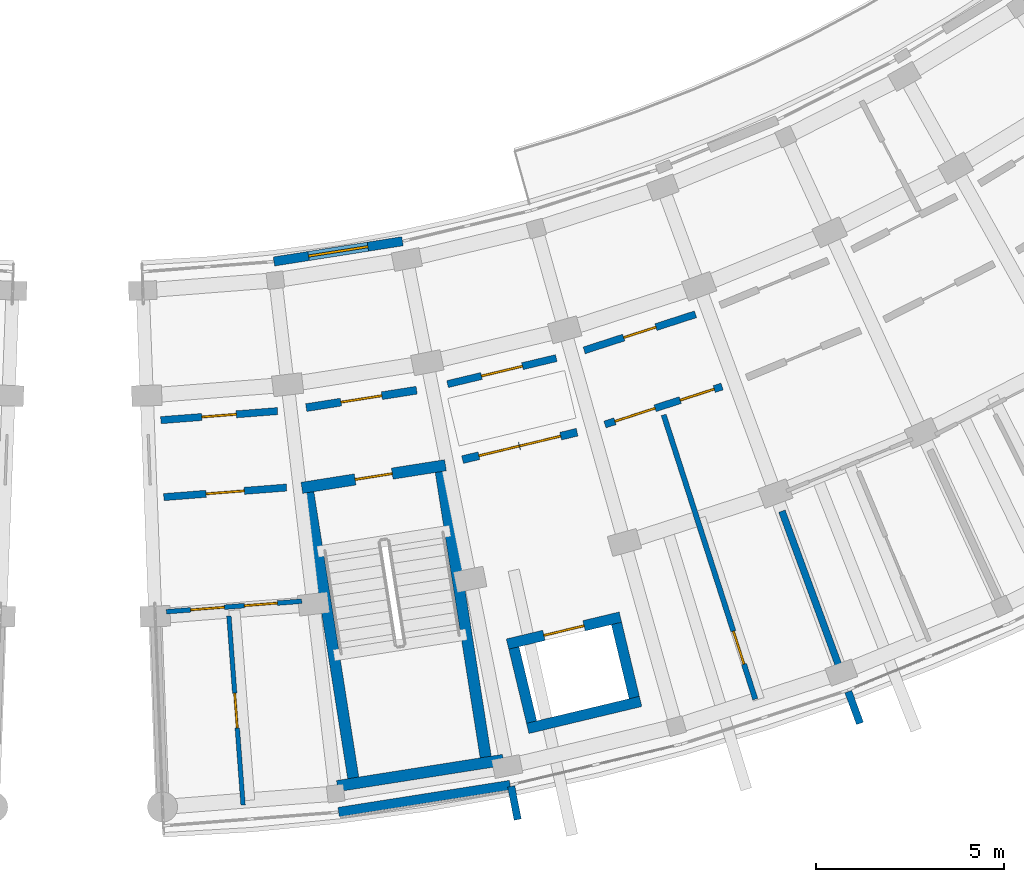
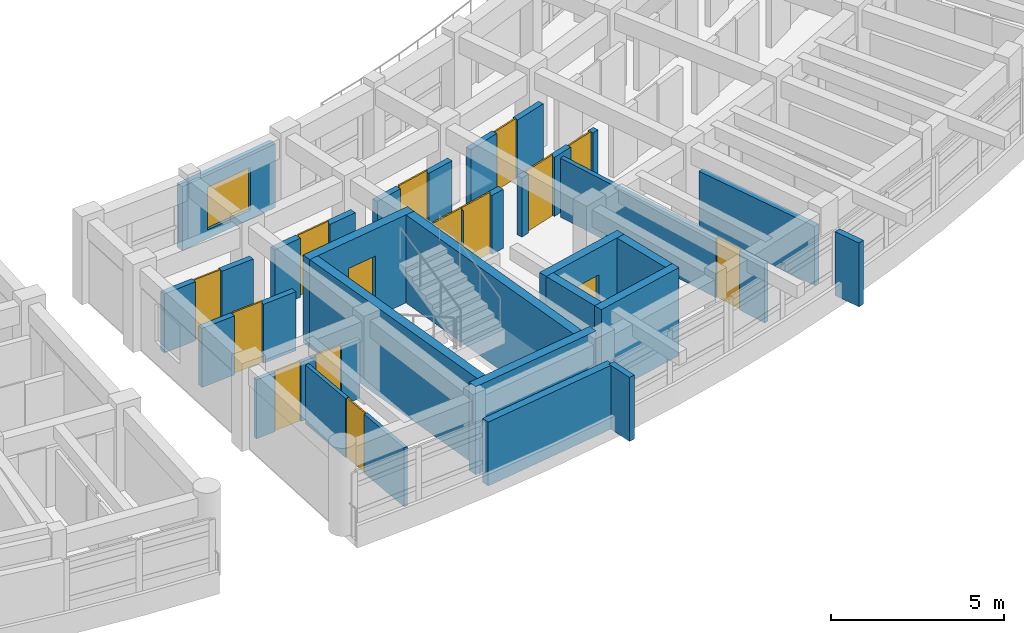
# One storey, part 37 of 56: 23 walls, 15 doors, 1 window, 16 openings.
"""IFC4 building model written with IfcOpenShell, lengths in metres."""

from ifc_helpers import new_model, si_unit, direction, frame, frame_2d, origin, place, context, subcontext, project, spatial, rectangle, extrude, material, layer, layer_set, type_object, element, fill, save


model = new_model("IFC4")

# Units and contexts
model_context = context("Model", 3, precision=1e-05, world=origin(), true_north=direction((0.0, 1.0)))
body_context = subcontext(model_context, "Body", "Model", "MODEL_VIEW")
ifc_project = project(units=[si_unit("LENGTHUNIT", "METRE"), si_unit("AREAUNIT", "SQUARE_METRE"), si_unit("VOLUMEUNIT", "CUBIC_METRE"), si_unit("PLANEANGLEUNIT", "RADIAN"), si_unit("MASSUNIT", "GRAM", prefix="KILO")], contexts=[model_context])

# Site, building, storey
site_placement = place(None, origin())
site = spatial("IfcSite", under=ifc_project, at=site_placement, CompositionType="ELEMENT")
building_placement = place(site_placement, origin())
building = spatial("IfcBuilding", under=site, at=building_placement, Name="Zimvara Arc Housing Community", CompositionType="ELEMENT")
storey_placement = place(building_placement, frame((0.0, 0.0, 17.39990234375)))
storey = spatial("IfcBuildingStorey", under=building, at=storey_placement, Name="L05", CompositionType="ELEMENT", Elevation=17.39990234375)

# Walls
ifc_material_1 = material(Name="Board-Marked Fair-Faced Concrete C35/45", Category="concrete")
ifc_layer_1 = layer(ifc_material_1, 0.195068359375)
ifc_layer_set_1 = layer_set([ifc_layer_1], Name="Board-Marked Fair-Faced Concrete C35/45")
wall_type_1 = type_object("IfcWallType", Name="EWL-PARA-195", PredefinedType="PARAPET", material=ifc_layer_set_1)
wall_1_placement = place(storey_placement, frame((137.521484375, 51.571533203125, 0.0), z_axis=(0.0, 0.0, 1.0), x_axis=(0.194237671596, -0.980954497891, 0.0)))
element("IfcWall", 1, at=wall_1_placement, inside=storey, type_object=wall_type_1, Name="finwall:blkD:L05:out:b2", PredefinedType="PARAPET", context=body_context, shape_type="SweptSolid", body=[
    extrude(rectangle(XDim=0.89990234375, YDim=0.195068359375, at=frame_2d((0.449951171875, 0.0))), origin(), (0.0, 0.0, 1.0), 2.25),
])
wall_2_placement = place(storey_placement, frame((146.49755859375, 54.0947265625, 0.0), z_axis=(0.0, 0.0, 1.0), x_axis=(0.34529052391, -0.938495846607, 0.0)))
element("IfcWall", 2, at=wall_2_placement, inside=storey, type_object=wall_type_1, Name="finwall:blkD:L05:out:b4", PredefinedType="PARAPET", context=body_context, shape_type="SweptSolid", body=[
    extrude(rectangle(XDim=0.900146484375, YDim=0.195068359375, at=frame_2d((0.4501953125, 0.0))), origin(), (0.0, 0.0, 1.0), 2.25),
])

# Wall, opening, window
ifc_material_2 = material(Name="Pigmented Fair-Faced Concrete C35/45", Category="concrete")
ifc_layer_2 = layer(ifc_material_2, 0.2451171875)
ifc_layer_set_2 = layer_set([ifc_layer_2], Name="Pigmented Fair-Faced Concrete C35/45")
wall_type_2 = type_object("IfcWallType", Name="EWL-PIGM-245", PredefinedType="SOLIDWALL", material=ifc_layer_set_2)
wall_3_placement = place(storey_placement, frame((131.20556640625, 65.5478515625, 0.0), z_axis=(0.0, 0.0, 1.0), x_axis=(0.987825183084, 0.155568016203, 0.0)))
wall_3 = element("IfcWall", 3, at=wall_3_placement, inside=storey, type_object=wall_type_2, Name="ewall:blkD:L05:in:b1", PredefinedType="SOLIDWALL", context=body_context, shape_type="SweptSolid", body=[
    extrude(rectangle(XDim=3.463623046875, YDim=0.2451171875, at=frame_2d((1.73193359375, 0.0))), origin(), (0.0, 0.0, 1.0), 2.25),
])
opening_1_placement = place(wall_3_placement, frame((0.931884765625, 0.0, 0.320068359375)))
opening_1 = element("IfcOpeningElement", 4, at=opening_1_placement, cuts=wall_3, Name="Opening W03", PredefinedType="OPENING", context=body_context, shape_type="SweptSolid", body=[
    extrude(rectangle(XDim=1.60009765625, YDim=1.5, at=frame_2d((0.800048828125, 0.75))), frame((0.0, 0.132568359375, 0.0), z_axis=(0.0, -1.0, 0.0), x_axis=(1.0, 0.0, 0.0)), (0.0, 0.0, 1.0), 0.26513671875),
])
ifc_material_3 = material(Name="Solar Control Low-E Double Glazing", Category="glass")
window_type = type_object("IfcWindowType", Name="WIN-RES-1600x1500", PartitioningType="DOUBLE_PANEL_VERTICAL", PredefinedType="WINDOW", material=ifc_material_3)
window_placement = place(opening_1_placement, origin())
window = element("IfcWindow", 5, at=window_placement, inside=storey, type_object=window_type, Name="win:blkD:L05:in:b1", OverallHeight=1.5, OverallWidth=1.60009765625, PartitioningType="DOUBLE_PANEL_VERTICAL", PredefinedType="WINDOW", context=body_context, shape_type="SweptSolid", body=[
    extrude(rectangle(XDim=1.60009765625, YDim=1.5, at=frame_2d((0.800048828125, 0.75))), frame((0.0, 0.030029296875, 0.0), z_axis=(0.0, -1.0, 0.0), x_axis=(1.0, 0.0, 0.0)), (0.0, 0.0, 1.0), 0.06005859375),
])
fill(opening_1, window)

# Wall
ifc_material_4 = material(Name="Board-Marked Fair-Faced Concrete C35/45", Category="concrete")
ifc_layer_3 = layer(ifc_material_4, 0.251953125)
ifc_layer_set_3 = layer_set([ifc_layer_3], Name="Board-Marked Fair-Faced Concrete C35/45")
wall_type_3 = type_object("IfcWallType", Name="EWL-VAR-18", PredefinedType="SOLIDWALL", material=ifc_layer_set_3)
wall_4_placement = place(storey_placement, frame((132.927734375, 50.888671875, 0.0), z_axis=(0.0, 0.0, 1.0), x_axis=(0.987828826394, 0.155544880165, 0.0)))
element("IfcWall", 6, at=wall_4_placement, inside=storey, type_object=wall_type_3, Name="ewall:blkD:L05:out:b1", PredefinedType="SOLIDWALL", context=body_context, shape_type="SweptSolid", body=[
    extrude(rectangle(XDim=4.622314453125, YDim=0.251953125, at=frame_2d((2.31103515625, 0.0))), origin(), (0.0, 0.0, 1.0), 2.25),
])

# Wall, opening, door
ifc_material_5 = material(Name="Concrete C35/45", Category="concrete")
ifc_layer_4 = layer(ifc_material_5, 0.2099609375)
ifc_layer_set_4 = layer_set([ifc_layer_4], Name="Concrete C35/45")
wall_type_4 = type_object("IfcWallType", Name="IWL-CCF-210", PredefinedType="SOLIDWALL", material=ifc_layer_set_4)
wall_5_placement = place(storey_placement, frame((132.065185546875, 61.6572265625, 0.0), z_axis=(0.0, 0.0, 1.0), x_axis=(0.987816121487, 0.155625544594, 0.0)))
wall_5 = element("IfcWall", 7, at=wall_5_placement, inside=storey, type_object=wall_type_4, Name="iwall:blkD:L05:ccf_div:b1", PredefinedType="SOLIDWALL", context=body_context, shape_type="SweptSolid", body=[
    extrude(rectangle(XDim=2.97607421875, YDim=0.2099609375, at=frame_2d((1.488037109375, 0.0))), origin(), (0.0, 0.0, 1.0), 2.080078125),
])
opening_2_placement = place(wall_5_placement, frame((0.93798828125, 0.0, 0.0)))
opening_2 = element("IfcOpeningElement", 8, at=opening_2_placement, cuts=wall_5, Name="Opening FD-CCF1", PredefinedType="OPENING", context=body_context, shape_type="SweptSolid", body=[
    extrude(rectangle(XDim=1.10009765625, YDim=2.14990234375, at=frame_2d((0.550048828125, 1.074951171875))), frame((0.0, 0.114990234375, 0.0), z_axis=(0.0, -1.0, 0.0), x_axis=(1.0, 0.0, 0.0)), (0.0, 0.0, 1.0), 0.22998046875),
])
ifc_material_6 = material(Name="Anodised Aluminium AW-6063", Category="aluminium")
door_type_1 = type_object("IfcDoorType", Name="IDR-CCF-1100x2150", OperationType="NOTDEFINED", PredefinedType="DOOR", material=ifc_material_6)
door_1_placement = place(opening_2_placement, origin())
door_1 = element("IfcDoor", 9, at=door_1_placement, inside=storey, type_object=door_type_1, Name="idoor:blkD:L05:ccf_in:b1", OperationType="SINGLE_SWING_RIGHT", OverallHeight=2.14990234375, OverallWidth=1.10009765625, PredefinedType="DOOR", context=body_context, shape_type="SweptSolid", body=[
    extrude(rectangle(XDim=1.10009765625, YDim=2.14990234375, at=frame_2d((0.550048828125, 1.074951171875))), frame((0.0, 0.02490234375, 0.0), z_axis=(0.0, -1.0, 0.0), x_axis=(1.0, 0.0, 0.0)), (0.0, 0.0, 1.0), 0.050048828125),
])
fill(opening_2, door_1)

# Wall, openings, doors
wall_6_placement = place(storey_placement, frame((136.2265625, 60.272216796875, 0.0), z_axis=(0.0, 0.0, 1.0), x_axis=(0.972564346632, 0.232634029456, 0.0)))
wall_6 = element("IfcWall", 10, at=wall_6_placement, inside=storey, type_object=wall_type_4, Name="iwall:blkD:L05:ll_div:b2", PredefinedType="SOLIDWALL", context=body_context, shape_type="SweptSolid", body=[
    extrude(rectangle(XDim=3.136962890625, YDim=0.2099609375, at=frame_2d((1.568359375, 0.0))), origin(), (0.0, 0.0, 1.0), 2.080078125),
])
opening_3_placement = place(wall_6_placement, frame((0.449951171875, 0.0, 0.0)))
opening_3 = element("IfcOpeningElement", 11, at=opening_3_placement, cuts=wall_6, Name="Opening FD-CCF1", PredefinedType="OPENING", context=body_context, shape_type="SweptSolid", body=[
    extrude(rectangle(XDim=1.10009765625, YDim=2.14990234375, at=frame_2d((0.550048828125, 1.074951171875))), frame((0.0, 0.114990234375, 0.0), z_axis=(0.0, -1.0, 0.0), x_axis=(1.0, 0.0, 0.0)), (0.0, 0.0, 1.0), 0.22998046875),
])
opening_4_placement = place(wall_6_placement, frame((1.56689453125, 0.0, 0.0)))
opening_4 = element("IfcOpeningElement", 12, at=opening_4_placement, cuts=wall_6, Name="Opening D07", PredefinedType="OPENING", context=body_context, shape_type="SweptSolid", body=[
    extrude(rectangle(XDim=1.1201171875, YDim=2.14990234375, at=frame_2d((0.56005859375, 1.074951171875))), frame((0.0, 0.114990234375, 0.0), z_axis=(0.0, -1.0, 0.0), x_axis=(1.0, 0.0, 0.0)), (0.0, 0.0, 1.0), 0.22998046875),
])
ifc_material_7 = material(Name="Mozambican Hardwood", Category="wood")
door_type_2 = type_object("IfcDoorType", Name="IDR-AMN-1120x2150", OperationType="NOTDEFINED", PredefinedType="DOOR", material=ifc_material_7)
door_2_placement = place(opening_4_placement, origin())
door_2 = element("IfcDoor", 13, at=door_2_placement, inside=storey, type_object=door_type_2, Name="idoor:blkD:L05:rs_in:b2", OperationType="SINGLE_SWING_RIGHT", OverallHeight=2.14990234375, OverallWidth=1.1201171875, PredefinedType="DOOR", context=body_context, shape_type="SweptSolid", body=[
    extrude(rectangle(XDim=1.1201171875, YDim=2.14990234375, at=frame_2d((0.56005859375, 1.074951171875))), frame((0.0, 0.02490234375, 0.0), z_axis=(0.0, -1.0, 0.0), x_axis=(1.0, 0.0, 0.0)), (0.0, 0.0, 1.0), 0.050048828125),
])
fill(opening_4, door_2)
door_3_placement = place(opening_3_placement, origin())
door_3 = element("IfcDoor", 14, at=door_3_placement, inside=storey, type_object=door_type_1, Name="idoor:blkD:L05:ll_in:b2", OperationType="SINGLE_SWING_LEFT", OverallHeight=2.14990234375, OverallWidth=1.10009765625, PredefinedType="DOOR", context=body_context, shape_type="SweptSolid", body=[
    extrude(rectangle(XDim=1.10009765625, YDim=2.14990234375, at=frame_2d((0.550048828125, 1.074951171875))), frame((0.0, 0.02490234375, 0.0), z_axis=(0.0, -1.0, 0.0), x_axis=(1.0, 0.0, 0.0)), (0.0, 0.0, 1.0), 0.050048828125),
])
fill(opening_3, door_3)

# Wall, opening, door
ifc_material_8 = material(Name="Concrete C35/45", Category="concrete")
ifc_layer_5 = layer(ifc_material_8, 0.18994140625)
ifc_layer_set_5 = layer_set([ifc_layer_5], Name="Concrete C35/45")
wall_type_5 = type_object("IfcWallType", Name="IWL-CORR-190", PredefinedType="SOLIDWALL", material=ifc_layer_set_5)
wall_7_placement = place(storey_placement, frame((128.273193359375, 59.2744140625, 0.0), z_axis=(0.0, 0.0, 1.0), x_axis=(0.996982624396, 0.077625038827, 0.0)))
wall_7 = element("IfcWall", 15, at=wall_7_placement, inside=storey, type_object=wall_type_5, Name="iwall:blkD:L05:corr_out:b0", PredefinedType="SOLIDWALL", context=body_context, shape_type="SweptSolid", body=[
    extrude(rectangle(XDim=3.27734375, YDim=0.18994140625, at=frame_2d((1.638671875, 0.0))), origin(), (0.0, 0.0, 1.0), 2.080078125),
])
opening_5_placement = place(wall_7_placement, frame((1.12841796875, 0.0, 0.0)))
opening_5 = element("IfcOpeningElement", 16, at=opening_5_placement, cuts=wall_7, Name="Opening FD-FL2", PredefinedType="OPENING", context=body_context, shape_type="SweptSolid", body=[
    extrude(rectangle(XDim=1.02001953125, YDim=2.14990234375, at=frame_2d((0.510009765625, 1.074951171875))), frame((0.0, 0.10498046875, 0.0), z_axis=(0.0, -1.0, 0.0), x_axis=(1.0, 0.0, 0.0)), (0.0, 0.0, 1.0), 0.2099609375),
])
ifc_material_9 = material(Name="Mozambican Hardwood", Category="wood")
door_type_3 = type_object("IfcDoorType", Name="IDR-FLAT-1020x2150", OperationType="NOTDEFINED", PredefinedType="DOOR", material=ifc_material_9)
door_4_placement = place(opening_5_placement, origin())
door_4 = element("IfcDoor", 17, at=door_4_placement, inside=storey, type_object=door_type_3, Name="idoor:blkD:L05:flat:b0", OperationType="SINGLE_SWING_LEFT", OverallHeight=2.14990234375, OverallWidth=1.02001953125, PredefinedType="DOOR", context=body_context, shape_type="SweptSolid", body=[
    extrude(rectangle(XDim=1.02001953125, YDim=2.14990234375, at=frame_2d((0.510009765625, 1.074951171875))), frame((0.0, 0.02490234375, 0.0), z_axis=(0.0, -1.0, 0.0), x_axis=(1.0, 0.0, 0.0)), (0.0, 0.0, 1.0), 0.050048828125),
])
fill(opening_5, door_4)

wall_8_placement = place(storey_placement, frame((128.194580078125, 61.322998046875, 0.0), z_axis=(0.0, 0.0, 1.0), x_axis=(0.996987280187, 0.077565218655, 0.0)))
wall_8 = element("IfcWall", 18, at=wall_8_placement, inside=storey, type_object=wall_type_5, Name="iwall:blkD:L05:corr_in:b0", PredefinedType="SOLIDWALL", context=body_context, shape_type="SweptSolid", body=[
    extrude(rectangle(XDim=3.115966796875, YDim=0.18994140625, at=frame_2d((1.55810546875, 0.0))), origin(), (0.0, 0.0, 1.0), 2.080078125),
])
opening_6_placement = place(wall_8_placement, frame((1.097900390625, 0.0, 0.0)))
opening_6 = element("IfcOpeningElement", 19, at=opening_6_placement, cuts=wall_8, Name="Opening D02", PredefinedType="OPENING", context=body_context, shape_type="SweptSolid", body=[
    extrude(rectangle(XDim=0.919921875, YDim=2.10009765625, at=frame_2d((0.4599609375, 1.050048828125))), frame((0.0, 0.10498046875, 0.0), z_axis=(0.0, -1.0, 0.0), x_axis=(1.0, 0.0, 0.0)), (0.0, 0.0, 1.0), 0.2099609375),
])
ifc_material_10 = material(Name="Mozambican Hardwood", Category="wood")
door_type_4 = type_object("IfcDoorType", Name="IDR-RM-0920x2100", OperationType="NOTDEFINED", PredefinedType="DOOR", material=ifc_material_10)
door_5_placement = place(opening_6_placement, origin())
door_5 = element("IfcDoor", 20, at=door_5_placement, inside=storey, type_object=door_type_4, Name="idoor:blkD:L05:in_rm:b0", OperationType="SINGLE_SWING_RIGHT", OverallHeight=2.10009765625, OverallWidth=0.919921875, PredefinedType="DOOR", context=body_context, shape_type="SweptSolid", body=[
    extrude(rectangle(XDim=0.919921875, YDim=2.10009765625, at=frame_2d((0.4599609375, 1.050048828125))), frame((0.0, 0.02490234375, 0.0), z_axis=(0.0, -1.0, 0.0), x_axis=(1.0, 0.0, 0.0)), (0.0, 0.0, 1.0), 0.050048828125),
])
fill(opening_6, door_5)

wall_9_placement = place(storey_placement, frame((135.828369140625, 62.283203125, 0.0), z_axis=(0.0, 0.0, 1.0), x_axis=(0.972558314217, 0.232659247501, 0.0)))
wall_9 = element("IfcWall", 21, at=wall_9_placement, inside=storey, type_object=wall_type_5, Name="iwall:blkD:L05:ra_div:b2", PredefinedType="SOLIDWALL", context=body_context, shape_type="SweptSolid", body=[
    extrude(rectangle(XDim=2.97607421875, YDim=0.18994140625, at=frame_2d((1.488037109375, 0.0))), origin(), (0.0, 0.0, 1.0), 2.080078125),
])
opening_7_placement = place(wall_9_placement, frame((0.927978515625, 0.0, 0.0)))
opening_7 = element("IfcOpeningElement", 22, at=opening_7_placement, cuts=wall_9, Name="Opening D07", PredefinedType="OPENING", context=body_context, shape_type="SweptSolid", body=[
    extrude(rectangle(XDim=1.1201171875, YDim=2.14990234375, at=frame_2d((0.56005859375, 1.074951171875))), frame((0.0, 0.10498046875, 0.0), z_axis=(0.0, -1.0, 0.0), x_axis=(1.0, 0.0, 0.0)), (0.0, 0.0, 1.0), 0.2099609375),
])
door_6_placement = place(opening_7_placement, origin())
door_6 = element("IfcDoor", 23, at=door_6_placement, inside=storey, type_object=door_type_2, Name="idoor:blkD:L05:ra_d:b2", OperationType="SINGLE_SWING_LEFT", OverallHeight=2.14990234375, OverallWidth=1.1201171875, PredefinedType="DOOR", context=body_context, shape_type="SweptSolid", body=[
    extrude(rectangle(XDim=1.1201171875, YDim=2.14990234375, at=frame_2d((0.56005859375, 1.074951171875))), frame((0.0, 0.02490234375, 0.0), z_axis=(0.0, -1.0, 0.0), x_axis=(1.0, 0.0, 0.0)), (0.0, 0.0, 1.0), 0.050048828125),
])
fill(opening_7, door_6)

# Wall, openings, doors
wall_10_placement = place(storey_placement, frame((140.018798828125, 61.20751953125, 0.0), z_axis=(0.0, 0.0, 1.0), x_axis=(0.951323803878, 0.308193154005, 0.0)))
wall_10 = element("IfcWall", 24, at=wall_10_placement, inside=storey, type_object=wall_type_5, Name="iwall:blkD:L05:corr_out:b3", PredefinedType="SOLIDWALL", context=body_context, shape_type="SweptSolid", body=[
    extrude(rectangle(XDim=3.277099609375, YDim=0.18994140625, at=frame_2d((1.638671875, 0.0))), origin(), (0.0, 0.0, 1.0), 2.080078125),
])
opening_8_placement = place(wall_10_placement, frame((0.280029296875, 0.0, 0.0)))
opening_8 = element("IfcOpeningElement", 25, at=opening_8_placement, cuts=wall_10, Name="Opening D07", PredefinedType="OPENING", context=body_context, shape_type="SweptSolid", body=[
    extrude(rectangle(XDim=1.1201171875, YDim=2.14990234375, at=frame_2d((0.56005859375, 1.074951171875))), frame((0.0, 0.10498046875, 0.0), z_axis=(0.0, -1.0, 0.0), x_axis=(1.0, 0.0, 0.0)), (0.0, 0.0, 1.0), 0.2099609375),
])
opening_9_placement = place(wall_10_placement, frame((2.10693359375, 0.0, 0.0)))
opening_9 = element("IfcOpeningElement", 26, at=opening_9_placement, cuts=wall_10, Name="Opening D06", PredefinedType="OPENING", context=body_context, shape_type="SweptSolid", body=[
    extrude(rectangle(XDim=0.949951171875, YDim=2.10009765625, at=frame_2d((0.47509765625, 1.050048828125))), frame((0.0, 0.10498046875, 0.0), z_axis=(0.0, -1.0, 0.0), x_axis=(1.0, 0.0, 0.0)), (0.0, 0.0, 1.0), 0.2099609375),
])
door_7_placement = place(opening_8_placement, origin())
door_7 = element("IfcDoor", 27, at=door_7_placement, inside=storey, type_object=door_type_2, Name="idoor:blkD:L05:amen:b3", OperationType="SINGLE_SWING_RIGHT", OverallHeight=2.14990234375, OverallWidth=1.1201171875, PredefinedType="DOOR", context=body_context, shape_type="SweptSolid", body=[
    extrude(rectangle(XDim=1.1201171875, YDim=2.14990234375, at=frame_2d((0.56005859375, 1.074951171875))), frame((0.0, 0.02490234375, 0.0), z_axis=(0.0, -1.0, 0.0), x_axis=(1.0, 0.0, 0.0)), (0.0, 0.0, 1.0), 0.050048828125),
])
fill(opening_8, door_7)
ifc_material_11 = material(Name="Mozambican Hardwood", Category="wood")
door_type_5 = type_object("IfcDoorType", Name="IDR-AWC-0950x2100", OperationType="NOTDEFINED", PredefinedType="DOOR", material=ifc_material_11)
door_8_placement = place(opening_9_placement, origin())
door_8 = element("IfcDoor", 28, at=door_8_placement, inside=storey, type_object=door_type_5, Name="idoor:blkD:L05:cawc:b3", OperationType="SINGLE_SWING_LEFT", OverallHeight=2.10009765625, OverallWidth=0.949951171875, PredefinedType="DOOR", context=body_context, shape_type="SweptSolid", body=[
    extrude(rectangle(XDim=0.949951171875, YDim=2.10009765625, at=frame_2d((0.47509765625, 1.050048828125))), frame((0.0, 0.02490234375, 0.0), z_axis=(0.0, -1.0, 0.0), x_axis=(1.0, 0.0, 0.0)), (0.0, 0.0, 1.0), 0.050048828125),
])
fill(opening_9, door_8)

# Wall, opening, door
wall_11_placement = place(storey_placement, frame((139.464111328125, 63.18115234375, 0.0), z_axis=(0.0, 0.0, 1.0), x_axis=(0.951336474448, 0.308154040027, 0.0)))
wall_11 = element("IfcWall", 29, at=wall_11_placement, inside=storey, type_object=wall_type_5, Name="iwall:blkD:L05:corr_in:b3", PredefinedType="SOLIDWALL", context=body_context, shape_type="SweptSolid", body=[
    extrude(rectangle(XDim=3.115966796875, YDim=0.18994140625, at=frame_2d((1.55810546875, 0.0))), origin(), (0.0, 0.0, 1.0), 2.080078125),
])
opening_10_placement = place(wall_11_placement, frame((1.10791015625, 0.0, 0.0)))
opening_10 = element("IfcOpeningElement", 30, at=opening_10_placement, cuts=wall_11, Name="Opening D01", PredefinedType="OPENING", context=body_context, shape_type="SweptSolid", body=[
    extrude(rectangle(XDim=0.89990234375, YDim=2.10009765625, at=frame_2d((0.449951171875, 1.050048828125))), frame((0.0, 0.10498046875, 0.0), z_axis=(0.0, -1.0, 0.0), x_axis=(1.0, 0.0, 0.0)), (0.0, 0.0, 1.0), 0.2099609375),
])
ifc_material_12 = material(Name="Mozambican Hardwood", Category="wood")
door_type_6 = type_object("IfcDoorType", Name="IDR-RM-0900x2100", OperationType="NOTDEFINED", PredefinedType="DOOR", material=ifc_material_12)
door_9_placement = place(opening_10_placement, origin())
door_9 = element("IfcDoor", 31, at=door_9_placement, inside=storey, type_object=door_type_6, Name="idoor:blkD:L05:in_rm:b3", OperationType="SINGLE_SWING_RIGHT", OverallHeight=2.10009765625, OverallWidth=0.89990234375, PredefinedType="DOOR", context=body_context, shape_type="SweptSolid", body=[
    extrude(rectangle(XDim=0.89990234375, YDim=2.10009765625, at=frame_2d((0.449951171875, 1.050048828125))), frame((0.0, 0.02490234375, 0.0), z_axis=(0.0, -1.0, 0.0), x_axis=(1.0, 0.0, 0.0)), (0.0, 0.0, 1.0), 0.050048828125),
])
fill(opening_10, door_9)

# Wall
ifc_material_13 = material(Name="Concrete C35/45", Category="concrete")
ifc_layer_6 = layer(ifc_material_13, 0.18505859375)
ifc_layer_set_6 = layer_set([ifc_layer_6], Name="Concrete C35/45")
wall_type_6 = type_object("IfcWallType", Name="IWL-FLAT-185", PredefinedType="SOLIDWALL", material=ifc_layer_set_6)
wall_12_placement = place(storey_placement, frame((144.729736328125, 58.89990234375, 0.0), z_axis=(0.0, 0.0, 1.0), x_axis=(0.345273579683, -0.938502080537, 0.0)))
element("IfcWall", 32, at=wall_12_placement, inside=storey, type_object=wall_type_6, Name="iwall:blkD:L05:party:b4", PredefinedType="SOLIDWALL", context=body_context, shape_type="SweptSolid", body=[
    extrude(rectangle(XDim=4.35009765625, YDim=0.18505859375, at=frame_2d((2.175048828125, 0.0))), origin(), (0.0, 0.0, 1.0), 2.080078125),
])

# Wall, opening, door
ifc_material_14 = material(Name="Painted Acoustic Plasterboard")
ifc_layer_7 = layer(ifc_material_14, 0.1201171875)
ifc_layer_set_7 = layer_set([ifc_layer_7], Name="Painted Acoustic Plasterboard")
wall_type_7 = type_object("IfcWallType", Name="IWL-PART-120", PredefinedType="PARTITIONING", material=ifc_layer_set_7)
wall_13_placement = place(storey_placement, frame((130.0068359375, 56.110595703125, 0.0), z_axis=(0.0, 0.0, 1.0), x_axis=(0.074692597417, -0.997206606422, 0.0)))
wall_13 = element("IfcWall", 33, at=wall_13_placement, inside=storey, type_object=wall_type_7, Name="iwall:blkD:L05:bed_div:b0", PredefinedType="PARTITIONING", context=body_context, shape_type="SweptSolid", body=[
    extrude(rectangle(XDim=5.050048828125, YDim=0.1201171875, at=frame_2d((2.52490234375, 0.0))), origin(), (0.0, 0.0, 1.0), 2.080078125),
])
opening_11_placement = place(wall_13_placement, frame((2.06005859375, 0.0, 0.0)))
opening_11 = element("IfcOpeningElement", 34, at=opening_11_placement, cuts=wall_13, Name="Opening D13", PredefinedType="OPENING", context=body_context, shape_type="SweptSolid", body=[
    extrude(rectangle(XDim=0.929931640625, YDim=2.10009765625, at=frame_2d((0.46484375, 1.050048828125))), frame((0.0, 0.070068359375, 0.0), z_axis=(0.0, -1.0, 0.0), x_axis=(1.0, 0.0, 0.0)), (0.0, 0.0, 1.0), 0.14013671875),
])
ifc_material_15 = material(Name="Mozambican Hardwood", Category="wood")
door_type_7 = type_object("IfcDoorType", Name="IDR-MOD-930x2180", OperationType="NOTDEFINED", PredefinedType="DOOR", material=ifc_material_15)
door_10_placement = place(opening_11_placement, origin())
door_10 = element("IfcDoor", 35, at=door_10_placement, inside=storey, type_object=door_type_7, Name="idoor:blkD:L05:bed_d:b0", OperationType="SINGLE_SWING_LEFT", OverallHeight=2.10009765625, OverallWidth=0.929931640625, PredefinedType="DOOR", context=body_context, shape_type="SweptSolid", body=[
    extrude(rectangle(XDim=0.929931640625, YDim=2.10009765625, at=frame_2d((0.46484375, 1.050048828125))), frame((0.0, 0.02490234375, 0.0), z_axis=(0.0, -1.0, 0.0), x_axis=(1.0, 0.0, 0.0)), (0.0, 0.0, 1.0), 0.050048828125),
])
fill(opening_11, door_10)

# Wall, openings, doors
ifc_material_16 = material(Name="Painted Acoustic Plasterboard")
ifc_layer_8 = layer(ifc_material_16, 0.125)
ifc_layer_set_8 = layer_set([ifc_layer_8], Name="Painted Acoustic Plasterboard")
wall_type_8 = type_object("IfcWallType", Name="IWL-PART-125", PredefinedType="PARTITIONING", material=ifc_layer_set_8)
wall_14_placement = place(storey_placement, frame((128.340576171875, 56.222900390625, 0.0), z_axis=(0.0, 0.0, 1.0), x_axis=(0.996986990942, 0.077568936389, 0.0)))
wall_14 = element("IfcWall", 36, at=wall_14_placement, inside=storey, type_object=wall_type_8, Name="iwall:blkD:L05:srv:b0", PredefinedType="PARTITIONING", context=body_context, shape_type="SweptSolid", body=[
    extrude(rectangle(XDim=3.616455078125, YDim=0.125, at=frame_2d((1.80810546875, 0.0))), origin(), (0.0, 0.0, 1.0), 2.080078125),
])
opening_12_placement = place(wall_14_placement, frame((0.64990234375, 0.0, 0.0)))
opening_12 = element("IfcOpeningElement", 37, at=opening_12_placement, cuts=wall_14, Name="Opening D01", PredefinedType="OPENING", context=body_context, shape_type="SweptSolid", body=[
    extrude(rectangle(XDim=0.89990234375, YDim=2.10009765625, at=frame_2d((0.449951171875, 1.050048828125))), frame((0.0, 0.072509765625, 0.0), z_axis=(0.0, -1.0, 0.0), x_axis=(1.0, 0.0, 0.0)), (0.0, 0.0, 1.0), 0.14501953125),
])
opening_13_placement = place(wall_14_placement, frame((2.08642578125, 0.0, 0.0)))
opening_13 = element("IfcOpeningElement", 38, at=opening_13_placement, cuts=wall_14, Name="Opening D05", PredefinedType="OPENING", context=body_context, shape_type="SweptSolid", body=[
    extrude(rectangle(XDim=0.8798828125, YDim=2.10009765625, at=frame_2d((0.43994140625, 1.050048828125))), frame((0.0, 0.072509765625, 0.0), z_axis=(0.0, -1.0, 0.0), x_axis=(1.0, 0.0, 0.0)), (0.0, 0.0, 1.0), 0.14501953125),
])
door_11_placement = place(opening_12_placement, origin())
door_11 = element("IfcDoor", 39, at=door_11_placement, inside=storey, type_object=door_type_6, Name="idoor:blkD:L05:kit_liv:b0", OperationType="SINGLE_SWING_LEFT", OverallHeight=2.10009765625, OverallWidth=0.89990234375, PredefinedType="DOOR", context=body_context, shape_type="SweptSolid", body=[
    extrude(rectangle(XDim=0.89990234375, YDim=2.10009765625, at=frame_2d((0.449951171875, 1.050048828125))), frame((0.0, 0.02490234375, 0.0), z_axis=(0.0, -1.0, 0.0), x_axis=(1.0, 0.0, 0.0)), (0.0, 0.0, 1.0), 0.050048828125),
])
fill(opening_12, door_11)
ifc_material_17 = material(Name="Mozambican Hardwood", Category="wood")
door_type_8 = type_object("IfcDoorType", Name="IDR-WC-0880x2100", OperationType="NOTDEFINED", PredefinedType="DOOR", material=ifc_material_17)
door_12_placement = place(opening_13_placement, origin())
door_12 = element("IfcDoor", 40, at=door_12_placement, inside=storey, type_object=door_type_8, Name="idoor:blkD:L05:bath_d:b0", OperationType="SINGLE_SWING_RIGHT", OverallHeight=2.10009765625, OverallWidth=0.8798828125, PredefinedType="DOOR", context=body_context, shape_type="SweptSolid", body=[
    extrude(rectangle(XDim=0.8798828125, YDim=2.10009765625, at=frame_2d((0.43994140625, 1.050048828125))), frame((0.0, 0.02490234375, 0.0), z_axis=(0.0, -1.0, 0.0), x_axis=(1.0, 0.0, 0.0)), (0.0, 0.0, 1.0), 0.050048828125),
])
fill(opening_13, door_12)

# Wall, opening, door
ifc_material_18 = material(Name="Painted Acoustic Plasterboard")
ifc_layer_9 = layer(ifc_material_18, 0.139892578125)
ifc_layer_set_9 = layer_set([ifc_layer_9], Name="Painted Acoustic Plasterboard")
wall_type_9 = type_object("IfcWallType", Name="IWL-PART-140", PredefinedType="PARTITIONING", material=ifc_layer_set_9)
wall_15_placement = place(storey_placement, frame((141.581298828125, 61.46240234375, 0.0), z_axis=(0.0, 0.0, 1.0), x_axis=(0.306824216212, -0.951766200464, 0.0)))
wall_15 = element("IfcWall", 41, at=wall_15_placement, inside=storey, type_object=wall_type_9, Name="iwall:blkD:L05:amen_div:b3", PredefinedType="PARTITIONING", context=body_context, shape_type="SweptSolid", body=[
    extrude(rectangle(XDim=7.949951171875, YDim=0.139892578125, at=frame_2d((3.97509765625, 0.0))), origin(), (0.0, 0.0, 1.0), 2.080078125),
])
opening_14_placement = place(wall_15_placement, frame((6.050048828125, 0.0, 0.0)))
opening_14 = element("IfcOpeningElement", 42, at=opening_14_placement, cuts=wall_15, Name="Opening D02", PredefinedType="OPENING", context=body_context, shape_type="SweptSolid", body=[
    extrude(rectangle(XDim=0.919921875, YDim=2.10009765625, at=frame_2d((0.4599609375, 1.050048828125))), frame((0.0, 0.079833984375, 0.0), z_axis=(0.0, -1.0, 0.0), x_axis=(1.0, 0.0, 0.0)), (0.0, 0.0, 1.0), 0.159912109375),
])
door_13_placement = place(opening_14_placement, origin())
door_13 = element("IfcDoor", 43, at=door_13_placement, inside=storey, type_object=door_type_4, Name="idoor:blkD:L05:laund_d:b3", OperationType="SINGLE_SWING_LEFT", OverallHeight=2.10009765625, OverallWidth=0.919921875, PredefinedType="DOOR", context=body_context, shape_type="SweptSolid", body=[
    extrude(rectangle(XDim=0.919921875, YDim=2.10009765625, at=frame_2d((0.4599609375, 1.050048828125))), frame((0.0, 0.02490234375, 0.0), z_axis=(0.0, -1.0, 0.0), x_axis=(1.0, 0.0, 0.0)), (0.0, 0.0, 1.0), 0.050048828125),
])
fill(opening_14, door_13)

ifc_material_19 = material(Name="Concrete C40/50", Category="concrete")
ifc_layer_10 = layer(ifc_material_19, 0.280029296875)
ifc_layer_set_10 = layer_set([ifc_layer_10], Name="Concrete C40/50")
wall_type_10 = type_object("IfcWallType", Name="WL-CORE-280", PredefinedType="SHEAR", material=ifc_layer_set_10)
wall_16_placement = place(storey_placement, frame((137.4248046875, 55.3623046875, 0.0), z_axis=(0.0, 0.0, 1.0), x_axis=(0.972573452388, 0.232595958069, 0.0)))
wall_16 = element("IfcWall", 44, at=wall_16_placement, inside=storey, type_object=wall_type_10, Name="lwall:LP-D1:L05:front", PredefinedType="SHEAR", context=body_context, shape_type="SweptSolid", body=[
    extrude(rectangle(XDim=3.090087890625, YDim=0.280029296875, at=frame_2d((1.544921875, 0.0))), origin(), (0.0, 0.0, 1.0), 3.10009765625),
])
opening_15_placement = place(wall_16_placement, frame((0.9951171875, 0.0, 0.0)))
opening_15 = element("IfcOpeningElement", 45, at=opening_15_placement, cuts=wall_16, Name="Opening LD-LP-D1", PredefinedType="OPENING", context=body_context, shape_type="SweptSolid", body=[
    extrude(rectangle(XDim=1.10009765625, YDim=2.14990234375, at=frame_2d((0.550048828125, 1.074951171875))), frame((0.0, 0.14990234375, 0.0), z_axis=(0.0, -1.0, 0.0), x_axis=(1.0, 0.0, 0.0)), (0.0, 0.0, 1.0), 0.300048828125),
])
ifc_material_20 = material(Name="Anodised Aluminium AW-6063", Category="aluminium")
door_type_9 = type_object("IfcDoorType", Name="IDR-LD-1100x2150", OperationType="DOUBLE_DOOR_SLIDING", PredefinedType="DOOR", material=ifc_material_20)
door_14_placement = place(opening_15_placement, origin())
door_14 = element("IfcDoor", 46, at=door_14_placement, inside=storey, type_object=door_type_9, Name="Lift LP-D1 Sliding Landing Door L05", OperationType="DOUBLE_DOOR_SLIDING", OverallHeight=2.14990234375, OverallWidth=1.10009765625, PredefinedType="DOOR", context=body_context, shape_type="SweptSolid", body=[
    extrude(rectangle(XDim=1.10009765625, YDim=2.14990234375, at=frame_2d((0.550048828125, 1.074951171875))), frame((0.0, 0.02490234375, 0.0), z_axis=(0.0, -1.0, 0.0), x_axis=(1.0, 0.0, 0.0)), (0.0, 0.0, 1.0), 0.050048828125),
])
fill(opening_15, door_14)

# Walls
wall_17_placement = place(storey_placement, frame((137.962158203125, 53.11572265625, 0.0), z_axis=(0.0, 0.0, 1.0), x_axis=(0.972573452388, 0.232595958069, 0.0)))
element("IfcWall", 47, at=wall_17_placement, inside=storey, type_object=wall_type_10, Name="lwall:LP-D1:L05:back", PredefinedType="SHEAR", context=body_context, shape_type="SweptSolid", body=[
    extrude(rectangle(XDim=3.090087890625, YDim=0.280029296875, at=frame_2d((1.544921875, 0.0))), origin(), (0.0, 0.0, 1.0), 3.10009765625),
])
for number, where, z_axis, x_axis, name in (
    (48, (137.593505859375, 55.2587890625, 0.0), (0.0, 0.0, 1.0), (0.232590524316, -0.972574751882, 0.0), "lwall:LP-D1:L05:left"),
    (49, (140.326416015625, 55.912353515625, 0.0), (0.0, 0.0, 1.0), (0.232590524316, -0.972574751882, 0.0), "lwall:LP-D1:L05:right"),
):
    element("IfcWall", number, at=place(storey_placement, frame(where, z_axis=z_axis, x_axis=x_axis)), inside=storey, type_object=wall_type_10, Name=name, PredefinedType="SHEAR", context=body_context, shape_type="SweptSolid", body=[
        extrude(rectangle(XDim=2.030029296875, YDim=0.280029296875, at=frame_2d((1.01513671875, 0.0))), origin(), (0.0, 0.0, 1.0), 3.10009765625),
    ])

# Wall, opening, door
ifc_material_21 = material(Name="Concrete C40/50", Category="concrete")
ifc_layer_11 = layer(ifc_material_21, 0.300048828125)
ifc_layer_set_11 = layer_set([ifc_layer_11], Name="Concrete C40/50")
wall_type_11 = type_object("IfcWallType", Name="WL-CORE-300", PredefinedType="SHEAR", material=ifc_layer_set_11)
wall_18_placement = place(storey_placement, frame((131.948974609375, 59.520751953125, 0.0), z_axis=(0.0, 0.0, 1.0), x_axis=(0.98782579805, 0.155564111245, 0.0)))
wall_18 = element("IfcWall", 50, at=wall_18_placement, inside=storey, type_object=wall_type_11, Name="cwall:ST-D1:L05:near", PredefinedType="SHEAR", context=body_context, shape_type="SweptSolid", body=[
    extrude(rectangle(XDim=3.8701171875, YDim=0.300048828125, at=frame_2d((1.93505859375, 0.0))), origin(), (0.0, 0.0, 1.0), 3.10009765625),
])
opening_16_placement = place(wall_18_placement, frame((1.43505859375, 0.0, 0.0)))
opening_16 = element("IfcOpeningElement", 51, at=opening_16_placement, cuts=wall_18, Name="Opening FD-ST1", PredefinedType="OPENING", context=body_context, shape_type="SweptSolid", body=[
    extrude(rectangle(XDim=1.0, YDim=2.14990234375, at=frame_2d((0.5, 1.074951171875))), frame((0.0, 0.159912109375, 0.0), z_axis=(0.0, -1.0, 0.0), x_axis=(1.0, 0.0, 0.0)), (0.0, 0.0, 1.0), 0.320068359375),
])
ifc_material_22 = material(Name="Anodised Aluminium AW-6063", Category="aluminium")
door_type_10 = type_object("IfcDoorType", Name="IDR-ST-1000x2150", OperationType="NOTDEFINED", PredefinedType="DOOR", material=ifc_material_22)
door_15_placement = place(opening_16_placement, origin())
door_15 = element("IfcDoor", 52, at=door_15_placement, inside=storey, type_object=door_type_10, Name="idoor:ST-D1:L05:entry", OperationType="SINGLE_SWING_LEFT", OverallHeight=2.14990234375, OverallWidth=1.0, PredefinedType="DOOR", context=body_context, shape_type="SweptSolid", body=[
    extrude(rectangle(XDim=1.0, YDim=2.14990234375, at=frame_2d((0.5, 1.074951171875))), frame((0.0, 0.02490234375, 0.0), z_axis=(0.0, -1.0, 0.0), x_axis=(1.0, 0.0, 0.0)), (0.0, 0.0, 1.0), 0.050048828125),
])
fill(opening_16, door_15)

# Walls
wall_19_placement = place(storey_placement, frame((132.895751953125, 51.581298828125, 0.0), z_axis=(0.0, 0.0, 1.0), x_axis=(0.987819142769, 0.155606366126, 0.0)))
element("IfcWall", 53, at=wall_19_placement, inside=storey, type_object=wall_type_11, Name="cwall:ST-D1:L05:far", PredefinedType="SHEAR", context=body_context, shape_type="SweptSolid", body=[
    extrude(rectangle(XDim=4.469970703125, YDim=0.300048828125, at=frame_2d((2.23486328125, 0.0))), origin(), (0.0, 0.0, 1.0), 3.10009765625),
])
wall_20_placement = place(storey_placement, frame((132.12060546875, 59.39599609375, 0.0), z_axis=(0.0, 0.0, 1.0), x_axis=(0.155563141844, -0.987825950712, 0.0)))
element("IfcWall", 54, at=wall_20_placement, inside=storey, type_object=wall_type_11, Name="cwall:ST-D1:L05:left", PredefinedType="SHEAR", context=body_context, shape_type="SweptSolid", body=[
    extrude(rectangle(XDim=7.68994140625, YDim=0.300048828125, at=frame_2d((3.844970703125, 0.0))), origin(), (0.0, 0.0, 1.0), 3.10009765625),
])
wall_21_placement = place(storey_placement, frame((135.647216796875, 59.951171875, 0.0), z_axis=(0.0, 0.0, 1.0), x_axis=(0.155568020624, -0.987825182388, 0.0)))
element("IfcWall", 55, at=wall_21_placement, inside=storey, type_object=wall_type_11, Name="cwall:ST-D1:L05:right", PredefinedType="SHEAR", context=body_context, shape_type="SweptSolid", body=[
    extrude(rectangle(XDim=7.689697265625, YDim=0.300048828125, at=frame_2d((3.8447265625, 0.0))), origin(), (0.0, 0.0, 1.0), 3.10009765625),
])

save(model, "model.ifc")
